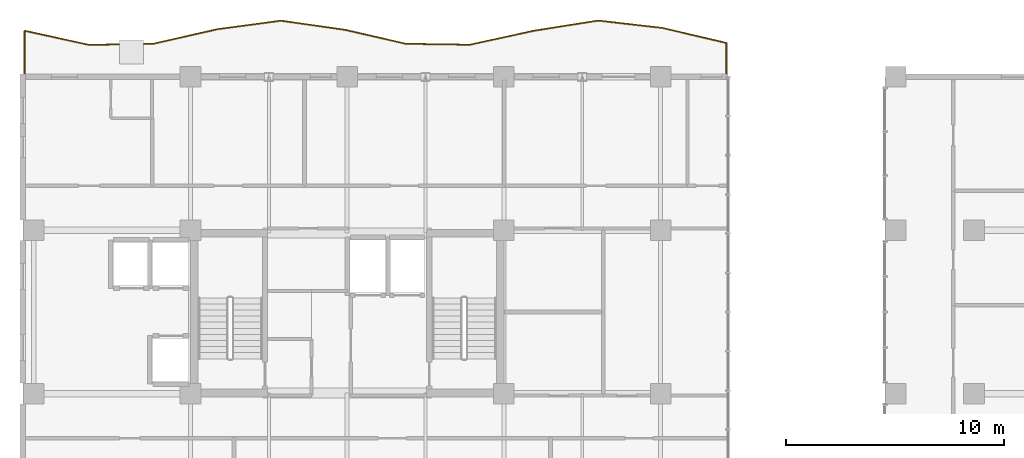
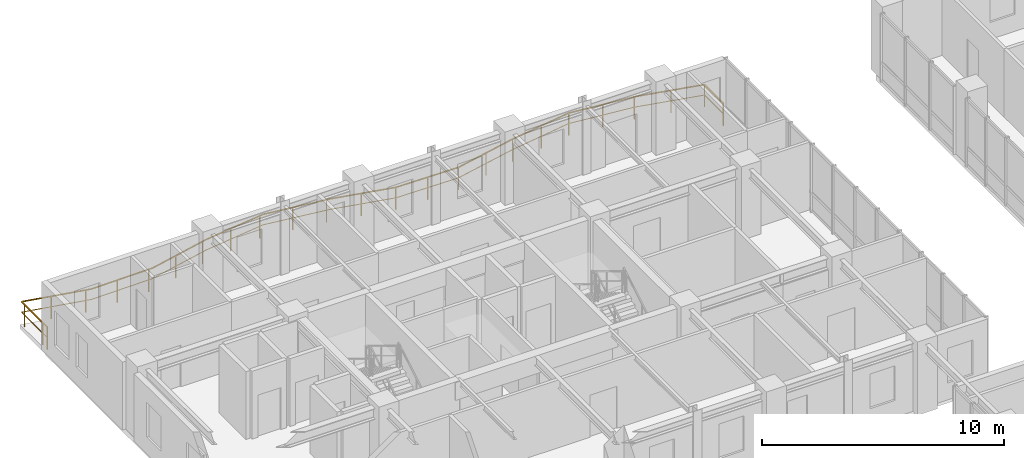
# One storey, part 24 of 24: 1 railing.
"""IFC4 building model written with IfcOpenShell, lengths in metres."""

from ifc_helpers import new_model, si_unit, direction, frame, origin, origin_2d, place, context, subcontext, project, spatial, rectangle, extrude, material, type_object, element, save


model = new_model("IFC4")

# Units and contexts
model_context = context("Model", 3, precision=1e-05, world=origin(), true_north=direction((0.0, 1.0)))
body_context = subcontext(model_context, "Body", "Model", "MODEL_VIEW")
ifc_project = project(units=[si_unit("LENGTHUNIT", "METRE"), si_unit("AREAUNIT", "SQUARE_METRE"), si_unit("VOLUMEUNIT", "CUBIC_METRE"), si_unit("PLANEANGLEUNIT", "RADIAN"), si_unit("MASSUNIT", "GRAM", prefix="KILO")], contexts=[model_context])

# Site, building, storey
site_placement = place(None, origin())
site = spatial("IfcSite", under=ifc_project, at=site_placement, CompositionType="ELEMENT")
building_placement = place(site_placement, origin())
building = spatial("IfcBuilding", under=site, at=building_placement, Name="Kaliganga Portal Commons", CompositionType="ELEMENT")
storey_placement = place(building_placement, frame((0.0, 0.0, 238.800048828125)))
storey = spatial("IfcBuildingStorey", under=building, at=storey_placement, Name="L61", CompositionType="ELEMENT", Elevation=238.800048828125)

# Railing
ifc_material = material(Name="Laminated Safety Glass and Stainless Steel 316", Category="steel")
railing_type = type_object("IfcRailingType", Name="RLG-BAL-1150", PredefinedType="BALUSTRADE", material=ifc_material)
railing_placement = place(storey_placement, frame((39.0205078125, 43.208251953125, 0.0)))
element("IfcRailing", 1, at=railing_placement, inside=storey, type_object=railing_type, Name="Balcony Guardrail L61 balc_north", PredefinedType="BALUSTRADE", context=body_context, shape_type="SweptSolid", body=[
    extrude(rectangle(XDim=0.048095703125, YDim=0.048095703125, at=origin_2d()), frame((0.0, 0.0, 1.1259765625), z_axis=(-0.000314465393, 0.999999950556, 0.0), x_axis=(-0.999999950556, -0.000314465393, 0.0)), (0.0, 0.0, 1.0), 1.552734375),
    extrude(rectangle(XDim=0.028076171875, YDim=0.028076171875, at=origin_2d()), frame((0.0, 0.0, 0.597900390625), z_axis=(-0.000314465393, 0.999999950556, 0.0), x_axis=(-0.999999950556, -0.000314465393, 0.0)), (0.0, 0.0, 1.0), 1.552734375),
    extrude(rectangle(XDim=0.048095703125, YDim=0.048095703125, at=origin_2d()), frame((-0.00048828125, 1.552734375, 1.1259765625), z_axis=(-0.973589409351, 0.228306070877, 0.0), x_axis=(-0.228306070877, -0.973589409351, 0.0)), (0.0, 0.0, 1.0), 3.025146484375),
    extrude(rectangle(XDim=0.028076171875, YDim=0.028076171875, at=origin_2d()), frame((-0.00048828125, 1.552734375, 0.597900390625), z_axis=(-0.973589409351, 0.228306070877, 0.0), x_axis=(-0.228306070877, -0.973589409351, 0.0)), (0.0, 0.0, 1.0), 3.025146484375),
    extrude(rectangle(XDim=0.048095703125, YDim=0.048095703125, at=origin_2d()), frame((-2.94580078125, 2.243408203125, 1.1259765625), z_axis=(-0.99349306225, 0.113892647968, 0.0), x_axis=(-0.113892647968, -0.99349306225, 0.0)), (0.0, 0.0, 1.0), 2.964599609375),
    extrude(rectangle(XDim=0.028076171875, YDim=0.028076171875, at=origin_2d()), frame((-2.94580078125, 2.243408203125, 0.597900390625), z_axis=(-0.99349306225, 0.113892647968, 0.0), x_axis=(-0.113892647968, -0.99349306225, 0.0)), (0.0, 0.0, 1.0), 2.964599609375),
    extrude(rectangle(XDim=0.048095703125, YDim=0.048095703125, at=origin_2d()), frame((-5.89111328125, 2.5810546875, 1.1259765625), z_axis=(-0.987676533352, -0.156508994842, 0.0), x_axis=(0.156508994842, -0.987676533352, 0.0)), (0.0, 0.0, 1.0), 2.982666015625),
    extrude(rectangle(XDim=0.028076171875, YDim=0.028076171875, at=origin_2d()), frame((-5.89111328125, 2.5810546875, 0.597900390625), z_axis=(-0.987676533352, -0.156508994842, 0.0), x_axis=(0.156508994842, -0.987676533352, 0.0)), (0.0, 0.0, 1.0), 2.982666015625),
    extrude(rectangle(XDim=0.048095703125, YDim=0.048095703125, at=origin_2d()), frame((-8.8369140625, 2.1142578125, 1.1259765625), z_axis=(-0.977001345967, -0.213233135273, 0.0), x_axis=(0.213233135273, -0.977001345967, 0.0)), (0.0, 0.0, 1.0), 3.0146484375),
    extrude(rectangle(XDim=0.028076171875, YDim=0.028076171875, at=origin_2d()), frame((-8.8369140625, 2.1142578125, 0.597900390625), z_axis=(-0.977001345967, -0.213233135273, 0.0), x_axis=(0.213233135273, -0.977001345967, 0.0)), (0.0, 0.0, 1.0), 3.0146484375),
    extrude(rectangle(XDim=0.048095703125, YDim=0.048095703125, at=origin_2d()), frame((-11.7822265625, 1.471435546875, 1.1259765625), z_axis=(-0.999889923732, 0.014837129764, 0.0), x_axis=(-0.014837129764, -0.999889923732, 0.0)), (0.0, 0.0, 1.0), 2.9453125),
    extrude(rectangle(XDim=0.028076171875, YDim=0.028076171875, at=origin_2d()), frame((-11.7822265625, 1.471435546875, 0.597900390625), z_axis=(-0.999889923732, 0.014837129764, 0.0), x_axis=(-0.014837129764, -0.999889923732, 0.0)), (0.0, 0.0, 1.0), 2.9453125),
    extrude(rectangle(XDim=0.048095703125, YDim=0.048095703125, at=origin_2d()), frame((-14.727294921875, 1.51513671875, 1.1259765625), z_axis=(-0.974586285026, 0.224012439475, 0.0), x_axis=(-0.224012439475, -0.974586285026, 0.0)), (0.0, 0.0, 1.0), 2.863037109375),
    extrude(rectangle(XDim=0.028076171875, YDim=0.028076171875, at=origin_2d()), frame((-14.727294921875, 1.51513671875, 0.597900390625), z_axis=(-0.974586285026, 0.224012439475, 0.0), x_axis=(-0.224012439475, -0.974586285026, 0.0)), (0.0, 0.0, 1.0), 2.863037109375),
    extrude(rectangle(XDim=0.048095703125, YDim=0.048095703125, at=origin_2d()), frame((-17.517578125, 2.156494140625, 1.1259765625), z_axis=(-0.990018366691, 0.14093840362, 0.0), x_axis=(-0.14093840362, -0.990018366691, 0.0)), (0.0, 0.0, 1.0), 2.97265625),
    extrude(rectangle(XDim=0.028076171875, YDim=0.028076171875, at=origin_2d()), frame((-17.517578125, 2.156494140625, 0.597900390625), z_axis=(-0.990018366691, 0.14093840362, 0.0), x_axis=(-0.14093840362, -0.990018366691, 0.0)), (0.0, 0.0, 1.0), 2.97265625),
    extrude(rectangle(XDim=0.048095703125, YDim=0.048095703125, at=origin_2d()), frame((-20.46044921875, 2.575439453125, 1.1259765625), z_axis=(-0.991106164828, -0.13307355124, 0.0), x_axis=(0.13307355124, -0.991106164828, 0.0)), (0.0, 0.0, 1.0), 2.97021484375),
    extrude(rectangle(XDim=0.028076171875, YDim=0.028076171875, at=origin_2d()), frame((-20.46044921875, 2.575439453125, 0.597900390625), z_axis=(-0.991106164828, -0.13307355124, 0.0), x_axis=(0.13307355124, -0.991106164828, 0.0)), (0.0, 0.0, 1.0), 2.97021484375),
    extrude(rectangle(XDim=0.048095703125, YDim=0.048095703125, at=origin_2d()), frame((-23.404296875, 2.18017578125, 1.1259765625), z_axis=(-0.975024766993, -0.222096158794, 0.0), x_axis=(0.222096158794, -0.975024766993, 0.0)), (0.0, 0.0, 1.0), 3.020751953125),
    extrude(rectangle(XDim=0.028076171875, YDim=0.028076171875, at=origin_2d()), frame((-23.404296875, 2.18017578125, 0.597900390625), z_axis=(-0.975024766993, -0.222096158794, 0.0), x_axis=(0.222096158794, -0.975024766993, 0.0)), (0.0, 0.0, 1.0), 3.020751953125),
    extrude(rectangle(XDim=0.048095703125, YDim=0.048095703125, at=origin_2d()), frame((-26.349609375, 1.50927734375, 1.1259765625), z_axis=(-0.999897195393, -0.014338711439, 0.0), x_axis=(0.014338711439, -0.999897195393, 0.0)), (0.0, 0.0, 1.0), 2.945556640625),
    extrude(rectangle(XDim=0.028076171875, YDim=0.028076171875, at=origin_2d()), frame((-26.349609375, 1.50927734375, 0.597900390625), z_axis=(-0.999897195393, -0.014338711439, 0.0), x_axis=(0.014338711439, -0.999897195393, 0.0)), (0.0, 0.0, 1.0), 2.945556640625),
    extrude(rectangle(XDim=0.048095703125, YDim=0.048095703125, at=origin_2d()), frame((-29.294921875, 1.467041015625, 1.1259765625), z_axis=(-0.97676832146, 0.214298031239, 0.0), x_axis=(-0.214298031239, -0.97676832146, 0.0)), (0.0, 0.0, 1.0), 3.015625),
    extrude(rectangle(XDim=0.028076171875, YDim=0.028076171875, at=origin_2d()), frame((-29.294921875, 1.467041015625, 0.597900390625), z_axis=(-0.97676832146, 0.214298031239, 0.0), x_axis=(-0.214298031239, -0.97676832146, 0.0)), (0.0, 0.0, 1.0), 3.015625),
    extrude(rectangle(XDim=0.048095703125, YDim=0.048095703125, at=origin_2d()), frame((-32.240478515625, 2.11328125, 1.1259765625), z_axis=(-0.000231053598, -0.999999973307, 0.0), x_axis=(0.999999973307, -0.000231053598, 0.0)), (0.0, 0.0, 1.0), 2.11328125),
    extrude(rectangle(XDim=0.028076171875, YDim=0.028076171875, at=origin_2d()), frame((-32.240478515625, 2.11328125, 0.597900390625), z_axis=(-0.000231053598, -0.999999973307, 0.0), x_axis=(0.999999973307, -0.000231053598, 0.0)), (0.0, 0.0, 1.0), 2.11328125),
    extrude(rectangle(XDim=0.0419921875, YDim=0.0419921875, at=origin_2d()), origin(), (0.0, 0.0, 1.0), 1.101806640625),
    extrude(rectangle(XDim=0.0419921875, YDim=0.0419921875, at=origin_2d()), frame((-0.00048828125, 1.552734375, 0.0)), (0.0, 0.0, 1.0), 1.101806640625),
    extrude(rectangle(XDim=0.0419921875, YDim=0.0419921875, at=origin_2d()), frame((-1.409423828125, 1.883056640625, 0.0)), (0.0, 0.0, 1.0), 1.101806640625),
    extrude(rectangle(XDim=0.0419921875, YDim=0.0419921875, at=origin_2d()), frame((-2.94580078125, 2.243408203125, 0.0)), (0.0, 0.0, 1.0), 1.101806640625),
    extrude(rectangle(XDim=0.0419921875, YDim=0.0419921875, at=origin_2d()), frame((-4.358642578125, 2.4052734375, 0.0)), (0.0, 0.0, 1.0), 1.101806640625),
    extrude(rectangle(XDim=0.0419921875, YDim=0.0419921875, at=origin_2d()), frame((-5.89111328125, 2.5810546875, 0.0)), (0.0, 0.0, 1.0), 1.101806640625),
    extrude(rectangle(XDim=0.0419921875, YDim=0.0419921875, at=origin_2d()), frame((-7.33056640625, 2.35302734375, 0.0)), (0.0, 0.0, 1.0), 1.101806640625),
    extrude(rectangle(XDim=0.0419921875, YDim=0.0419921875, at=origin_2d()), frame((-8.8369140625, 2.1142578125, 0.0)), (0.0, 0.0, 1.0), 1.101806640625),
    extrude(rectangle(XDim=0.0419921875, YDim=0.0419921875, at=origin_2d()), frame((-10.27783203125, 1.7998046875, 0.0)), (0.0, 0.0, 1.0), 1.101806640625),
    extrude(rectangle(XDim=0.0419921875, YDim=0.0419921875, at=origin_2d()), frame((-11.7822265625, 1.471435546875, 0.0)), (0.0, 0.0, 1.0), 1.101806640625),
    extrude(rectangle(XDim=0.0419921875, YDim=0.0419921875, at=origin_2d()), frame((-13.242431640625, 1.4931640625, 0.0)), (0.0, 0.0, 1.0), 1.101806640625),
    extrude(rectangle(XDim=0.0419921875, YDim=0.0419921875, at=origin_2d()), frame((-14.74169921875, 1.5185546875, 0.0)), (0.0, 0.0, 1.0), 1.101806640625),
    extrude(rectangle(XDim=0.0419921875, YDim=0.0419921875, at=origin_2d()), frame((-16.20361328125, 1.8544921875, 0.0)), (0.0, 0.0, 1.0), 1.101806640625),
    extrude(rectangle(XDim=0.0419921875, YDim=0.0419921875, at=origin_2d()), frame((-17.66796875, 2.177978515625, 0.0)), (0.0, 0.0, 1.0), 1.101806640625),
    extrude(rectangle(XDim=0.0419921875, YDim=0.0419921875, at=origin_2d()), frame((-19.15283203125, 2.389404296875, 0.0)), (0.0, 0.0, 1.0), 1.101806640625),
    extrude(rectangle(XDim=0.0419921875, YDim=0.0419921875, at=origin_2d()), frame((-20.63818359375, 2.551513671875, 0.0)), (0.0, 0.0, 1.0), 1.101806640625),
    extrude(rectangle(XDim=0.0419921875, YDim=0.0419921875, at=origin_2d()), frame((-22.124755859375, 2.35205078125, 0.0)), (0.0, 0.0, 1.0), 1.101806640625),
    extrude(rectangle(XDim=0.0419921875, YDim=0.0419921875, at=origin_2d()), frame((-23.608154296875, 2.1337890625, 0.0)), (0.0, 0.0, 1.0), 1.101806640625),
    extrude(rectangle(XDim=0.0419921875, YDim=0.0419921875, at=origin_2d()), frame((-25.070556640625, 1.800537109375, 0.0)), (0.0, 0.0, 1.0), 1.101806640625),
    extrude(rectangle(XDim=0.0419921875, YDim=0.0419921875, at=origin_2d()), frame((-26.537841796875, 1.506591796875, 0.0)), (0.0, 0.0, 1.0), 1.101806640625),
    extrude(rectangle(XDim=0.0419921875, YDim=0.0419921875, at=origin_2d()), frame((-28.03759765625, 1.485107421875, 0.0)), (0.0, 0.0, 1.0), 1.101806640625),
    extrude(rectangle(XDim=0.0419921875, YDim=0.0419921875, at=origin_2d()), frame((-29.531982421875, 1.51904296875, 0.0)), (0.0, 0.0, 1.0), 1.101806640625),
    extrude(rectangle(XDim=0.0419921875, YDim=0.0419921875, at=origin_2d()), frame((-30.9970703125, 1.840576171875, 0.0)), (0.0, 0.0, 1.0), 1.101806640625),
    extrude(rectangle(XDim=0.0419921875, YDim=0.0419921875, at=origin_2d()), frame((-32.240478515625, 1.88623046875, 0.0)), (0.0, 0.0, 1.0), 1.101806640625),
    extrude(rectangle(XDim=0.0419921875, YDim=0.0419921875, at=origin_2d()), frame((-32.240966796875, 0.38623046875, 0.0)), (0.0, 0.0, 1.0), 1.101806640625),
    extrude(rectangle(XDim=0.0419921875, YDim=0.0419921875, at=origin_2d()), frame((-32.240966796875, 0.0, 0.0)), (0.0, 0.0, 1.0), 1.101806640625),
])

save(model, "model.ifc")
